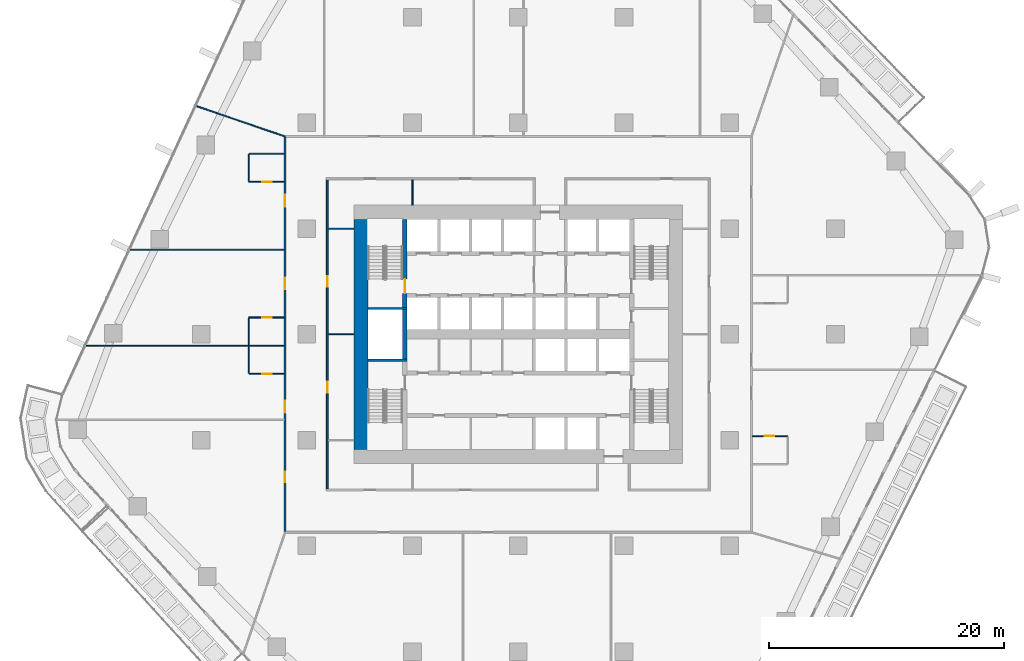
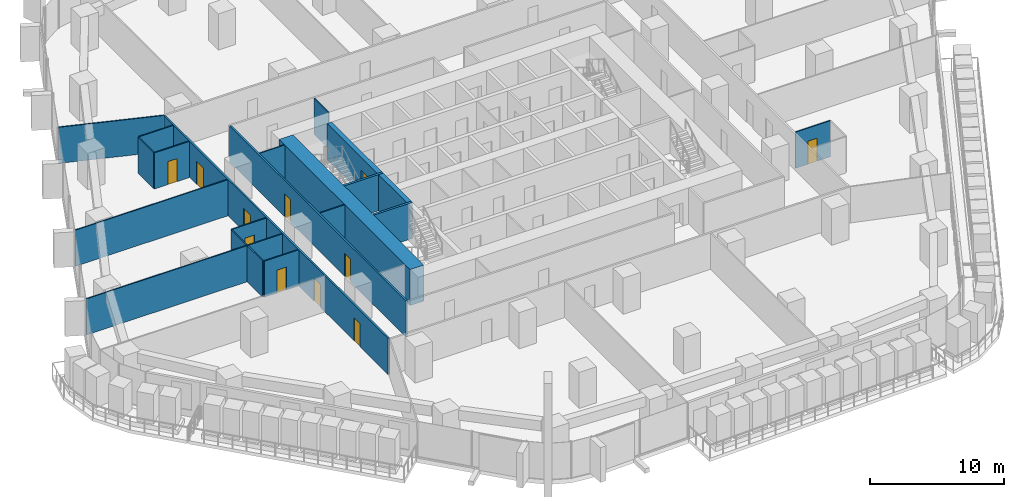
# One storey, part 14 of 26: 21 walls, 11 doors, 11 openings.
"""IFC4 building model written with IfcOpenShell, lengths in metres."""

from ifc_helpers import new_model, si_unit, direction, frame, frame_2d, origin, place, context, subcontext, project, spatial, rectangle, extrude, material, layer, layer_set, type_object, element, fill, save


model = new_model("IFC4")

# Units and contexts
model_context = context("Model", 3, precision=1e-05, world=origin(), true_north=direction((0.0, 1.0)))
body_context = subcontext(model_context, "Body", "Model", "MODEL_VIEW")
ifc_project = project(units=[si_unit("LENGTHUNIT", "METRE"), si_unit("AREAUNIT", "SQUARE_METRE"), si_unit("VOLUMEUNIT", "CUBIC_METRE"), si_unit("PLANEANGLEUNIT", "RADIAN"), si_unit("MASSUNIT", "GRAM", prefix="KILO")], contexts=[model_context])

# Site, building, storey
site_placement = place(None, origin())
site = spatial("IfcSite", under=ifc_project, at=site_placement, CompositionType="ELEMENT")
building_placement = place(site_placement, origin())
building = spatial("IfcBuilding", under=site, at=building_placement, Name="Dongbaek Canopy Tower", CompositionType="ELEMENT")
storey_placement = place(building_placement, frame((0.0, 0.0, 66.199951171875)))
storey = spatial("IfcBuildingStorey", under=building, at=storey_placement, Name="L12", CompositionType="ELEMENT", Elevation=66.199951171875)

# Wall
ifc_material_1 = material(Name="Concrete C60/75", Category="concrete")
ifc_layer_1 = layer(ifc_material_1, 1.199951171875)
ifc_layer_set_1 = layer_set([ifc_layer_1], Name="Core outer wall 1200 Concrete C60/75")
wall_type_1 = type_object("IfcWallType", Name="Core outer wall 1200 Concrete C60/75", PredefinedType="SHEAR", material=ifc_layer_set_1)
wall_1_placement = place(storey_placement, frame((-13.39990234375, -9.800048828125, 0.0), z_axis=(0.0, 0.0, 1.0), x_axis=(0.0, 1.0, 0.0)))
element("IfcWall", 1, at=wall_1_placement, inside=storey, type_object=wall_type_1, Name="Core wall", PredefinedType="SHEAR", context=body_context, shape_type="SweptSolid", body=[
    extrude(rectangle(XDim=19.60009765625, YDim=1.199951171875, at=frame_2d((9.800048828125, 0.0))), origin(), (0.0, 0.0, 1.0), 3.300048828125),
])

# Wall, openings, doors
ifc_material_2 = material(Name="Gypsum board partition, steel stud, 2 x 15 mm fire board", Category="steel")
ifc_layer_2 = layer(ifc_material_2, 0.14990234375)
ifc_layer_set_2 = layer_set([ifc_layer_2], Name="Fire-rated partition 150 gypsum board")
wall_type_2 = type_object("IfcWallType", Name="Fire-rated partition 150 gypsum board", PredefinedType="PARTITIONING", material=ifc_layer_set_2)
wall_2_placement = place(storey_placement, frame((-16.25, 13.175048828125, 0.0), z_axis=(0.0, 0.0, 1.0), x_axis=(0.0, -1.0, 0.0)))
wall_2 = element("IfcWall", 2, at=wall_2_placement, inside=storey, type_object=wall_type_2, Name="Corridor partition", PredefinedType="PARTITIONING", context=body_context, shape_type="SweptSolid", body=[
    extrude(rectangle(XDim=26.35009765625, YDim=0.14990234375, at=frame_2d((13.175048828125, 0.0))), origin(), (0.0, 0.0, 1.0), 3.300048828125),
])
opening_1_placement = place(wall_2_placement, frame((17.22509765625, 0.0, 0.0)))
opening_1 = element("IfcOpeningElement", 3, at=opening_1_placement, cuts=wall_2, Name="Opening L12-D018", PredefinedType="OPENING", context=body_context, shape_type="SweptSolid", body=[
    extrude(rectangle(XDim=0.89990234375, YDim=2.10009765625, at=frame_2d((0.449951171875, 1.050048828125))), frame((0.0, 0.0849609375, 0.0), z_axis=(0.0, -1.0, 0.0), x_axis=(1.0, 0.0, 0.0)), (0.0, 0.0, 1.0), 0.169921875),
])
opening_2_placement = place(wall_2_placement, frame((8.22509765625, 0.0, 0.0)))
opening_2 = element("IfcOpeningElement", 4, at=opening_2_placement, cuts=wall_2, Name="Opening L12-D026", PredefinedType="OPENING", context=body_context, shape_type="SweptSolid", body=[
    extrude(rectangle(XDim=0.89990234375, YDim=2.10009765625, at=frame_2d((0.449951171875, 1.050048828125))), frame((0.0, 0.0849609375, 0.0), z_axis=(0.0, -1.0, 0.0), x_axis=(1.0, 0.0, 0.0)), (0.0, 0.0, 1.0), 0.169921875),
])
ifc_material_3 = material(Name="Timber veneered door leaf", Category="wood")
door_type_1 = type_object("IfcDoorType", Name="Room door 900 x 2100", OperationType="SINGLE_SWING_LEFT", PredefinedType="DOOR", material=ifc_material_3)
door_1_placement = place(opening_1_placement, origin())
door_1 = element("IfcDoor", 5, at=door_1_placement, inside=storey, type_object=door_type_1, Name="Door L12-D018", OperationType="SINGLE_SWING_RIGHT", OverallHeight=2.10009765625, OverallWidth=0.89990234375, PredefinedType="DOOR", context=body_context, shape_type="SweptSolid", body=[
    extrude(rectangle(XDim=0.89990234375, YDim=2.10009765625, at=frame_2d((0.449951171875, 1.050048828125))), frame((0.0, 0.02490234375, 0.0), z_axis=(0.0, -1.0, 0.0), x_axis=(1.0, 0.0, 0.0)), (0.0, 0.0, 1.0), 0.050048828125),
])
fill(opening_1, door_1)
door_2_placement = place(opening_2_placement, origin())
door_2 = element("IfcDoor", 6, at=door_2_placement, inside=storey, type_object=door_type_1, Name="Door L12-D026", OperationType="SINGLE_SWING_RIGHT", OverallHeight=2.10009765625, OverallWidth=0.89990234375, PredefinedType="DOOR", context=body_context, shape_type="SweptSolid", body=[
    extrude(rectangle(XDim=0.89990234375, YDim=2.10009765625, at=frame_2d((0.449951171875, 1.050048828125))), frame((0.0, 0.02490234375, 0.0), z_axis=(0.0, -1.0, 0.0), x_axis=(1.0, 0.0, 0.0)), (0.0, 0.0, 1.0), 0.050048828125),
])
fill(opening_2, door_2)

wall_3_placement = place(storey_placement, frame((-19.85009765625, -16.77490234375, 0.0), z_axis=(0.0, 0.0, 1.0), x_axis=(0.0, 1.0, 0.0)))
wall_3 = element("IfcWall", 7, at=wall_3_placement, inside=storey, type_object=wall_type_2, Name="Corridor partition", PredefinedType="PARTITIONING", context=body_context, shape_type="SweptSolid", body=[
    extrude(rectangle(XDim=33.5498046875, YDim=0.14990234375, at=frame_2d((16.77490234375, 0.0))), origin(), (0.0, 0.0, 1.0), 3.300048828125),
])
opening_3_placement = place(wall_3_placement, frame((10.123046875, 0.0, 0.0)))
opening_3 = element("IfcOpeningElement", 8, at=opening_3_placement, cuts=wall_3, Name="Opening L12-D002", PredefinedType="OPENING", context=body_context, shape_type="SweptSolid", body=[
    extrude(rectangle(XDim=1.0, YDim=2.10009765625, at=frame_2d((0.5, 1.050048828125))), frame((0.0, 0.0849609375, 0.0), z_axis=(0.0, -1.0, 0.0), x_axis=(1.0, 0.0, 0.0)), (0.0, 0.0, 1.0), 0.169921875),
])
opening_4_placement = place(wall_3_placement, frame((4.178955078125, 0.0, 0.0)))
opening_4 = element("IfcOpeningElement", 9, at=opening_4_placement, cuts=wall_3, Name="Opening L12-D003", PredefinedType="OPENING", context=body_context, shape_type="SweptSolid", body=[
    extrude(rectangle(XDim=0.89990234375, YDim=2.10009765625, at=frame_2d((0.449951171875, 1.050048828125))), frame((0.0, 0.0849609375, 0.0), z_axis=(0.0, -1.0, 0.0), x_axis=(1.0, 0.0, 0.0)), (0.0, 0.0, 1.0), 0.169921875),
])
opening_5_placement = place(wall_3_placement, frame((27.651123046875, 0.0, 0.0)))
opening_5 = element("IfcOpeningElement", 10, at=opening_5_placement, cuts=wall_3, Name="Opening L12-D015", PredefinedType="OPENING", context=body_context, shape_type="SweptSolid", body=[
    extrude(rectangle(XDim=1.0, YDim=2.10009765625, at=frame_2d((0.5, 1.050048828125))), frame((0.0, 0.0849609375, 0.0), z_axis=(0.0, -1.0, 0.0), x_axis=(1.0, 0.0, 0.0)), (0.0, 0.0, 1.0), 0.169921875),
])
opening_6_placement = place(wall_3_placement, frame((20.6005859375, 0.0, 0.0)))
opening_6 = element("IfcOpeningElement", 11, at=opening_6_placement, cuts=wall_3, Name="Opening L12-D017", PredefinedType="OPENING", context=body_context, shape_type="SweptSolid", body=[
    extrude(rectangle(XDim=1.0, YDim=2.10009765625, at=frame_2d((0.5, 1.050048828125))), frame((0.0, 0.0849609375, 0.0), z_axis=(0.0, -1.0, 0.0), x_axis=(1.0, 0.0, 0.0)), (0.0, 0.0, 1.0), 0.169921875),
])
ifc_material_4 = material(Name="Timber veneered door leaf", Category="wood")
door_type_2 = type_object("IfcDoorType", Name="Guest room door 1000 x 2100", OperationType="SINGLE_SWING_LEFT", PredefinedType="DOOR", material=ifc_material_4)
door_3_placement = place(opening_3_placement, origin())
door_3 = element("IfcDoor", 12, at=door_3_placement, inside=storey, type_object=door_type_2, Name="Door L12-D002", OperationType="SINGLE_SWING_RIGHT", OverallHeight=2.10009765625, OverallWidth=1.0, PredefinedType="DOOR", context=body_context, shape_type="SweptSolid", body=[
    extrude(rectangle(XDim=1.0, YDim=2.10009765625, at=frame_2d((0.5, 1.050048828125))), frame((0.0, 0.02490234375, 0.0), z_axis=(0.0, -1.0, 0.0), x_axis=(1.0, 0.0, 0.0)), (0.0, 0.0, 1.0), 0.050048828125),
])
fill(opening_3, door_3)
door_4_placement = place(opening_5_placement, origin())
door_4 = element("IfcDoor", 13, at=door_4_placement, inside=storey, type_object=door_type_2, Name="Door L12-D015", OperationType="SINGLE_SWING_RIGHT", OverallHeight=2.10009765625, OverallWidth=1.0, PredefinedType="DOOR", context=body_context, shape_type="SweptSolid", body=[
    extrude(rectangle(XDim=1.0, YDim=2.10009765625, at=frame_2d((0.5, 1.050048828125))), frame((0.0, 0.02490234375, 0.0), z_axis=(0.0, -1.0, 0.0), x_axis=(1.0, 0.0, 0.0)), (0.0, 0.0, 1.0), 0.050048828125),
])
fill(opening_5, door_4)
door_5_placement = place(opening_6_placement, origin())
door_5 = element("IfcDoor", 14, at=door_5_placement, inside=storey, type_object=door_type_2, Name="Door L12-D017", OperationType="SINGLE_SWING_LEFT", OverallHeight=2.10009765625, OverallWidth=1.0, PredefinedType="DOOR", context=body_context, shape_type="SweptSolid", body=[
    extrude(rectangle(XDim=1.0, YDim=2.10009765625, at=frame_2d((0.5, 1.050048828125))), frame((0.0, 0.02490234375, 0.0), z_axis=(0.0, -1.0, 0.0), x_axis=(1.0, 0.0, 0.0)), (0.0, 0.0, 1.0), 0.050048828125),
])
fill(opening_6, door_5)
door_6_placement = place(opening_4_placement, origin())
door_6 = element("IfcDoor", 15, at=door_6_placement, inside=storey, type_object=door_type_1, Name="Door L12-D003", OperationType="SINGLE_SWING_LEFT", OverallHeight=2.10009765625, OverallWidth=0.89990234375, PredefinedType="DOOR", context=body_context, shape_type="SweptSolid", body=[
    extrude(rectangle(XDim=0.89990234375, YDim=2.10009765625, at=frame_2d((0.449951171875, 1.050048828125))), frame((0.0, 0.02490234375, 0.0), z_axis=(0.0, -1.0, 0.0), x_axis=(1.0, 0.0, 0.0)), (0.0, 0.0, 1.0), 0.050048828125),
])
fill(opening_4, door_6)

# Wall, opening, door
ifc_material_5 = material(Name="Gypsum board partition, steel stud, 2 x 12.5 mm board", Category="steel")
ifc_layer_3 = layer(ifc_material_5, 0.10009765625)
ifc_layer_set_3 = layer_set([ifc_layer_3], Name="Partition 100 gypsum board")
wall_type_3 = type_object("IfcWallType", Name="Partition 100 gypsum board", PredefinedType="PARTITIONING", material=ifc_layer_set_3)
wall_4_placement = place(storey_placement, frame((22.949951171875, -8.657958984375, 0.0), z_axis=(0.0, 0.0, 1.0), x_axis=(-1.0, 0.0, 0.0)))
wall_4 = element("IfcWall", 16, at=wall_4_placement, inside=storey, type_object=wall_type_3, Name="Partition", PredefinedType="PARTITIONING", context=body_context, shape_type="SweptSolid", body=[
    extrude(rectangle(XDim=3.02490234375, YDim=0.10009765625, at=frame_2d((1.512451171875, 0.0))), origin(), (0.0, 0.0, 1.0), 3.300048828125),
])
opening_7_placement = place(wall_4_placement, frame((1.14990234375, 0.0, 0.0)))
opening_7 = element("IfcOpeningElement", 17, at=opening_7_placement, cuts=wall_4, Name="Opening L12-D006", PredefinedType="OPENING", context=body_context, shape_type="SweptSolid", body=[
    extrude(rectangle(XDim=0.800048828125, YDim=2.10009765625, at=frame_2d((0.39990234375, 1.050048828125))), frame((0.0, 0.06005859375, 0.0), z_axis=(0.0, -1.0, 0.0), x_axis=(1.0, 0.0, 0.0)), (0.0, 0.0, 1.0), 0.1201171875),
])
ifc_material_6 = material(Name="Timber veneered door leaf", Category="wood")
door_type_3 = type_object("IfcDoorType", Name="En-suite door 800 x 2100", OperationType="SINGLE_SWING_LEFT", PredefinedType="DOOR", material=ifc_material_6)
door_7_placement = place(opening_7_placement, origin())
door_7 = element("IfcDoor", 18, at=door_7_placement, inside=storey, type_object=door_type_3, Name="Door L12-D006", OperationType="SINGLE_SWING_LEFT", OverallHeight=2.10009765625, OverallWidth=0.800048828125, PredefinedType="DOOR", context=body_context, shape_type="SweptSolid", body=[
    extrude(rectangle(XDim=0.800048828125, YDim=2.10009765625, at=frame_2d((0.39990234375, 1.050048828125))), frame((0.0, 0.02490234375, 0.0), z_axis=(0.0, -1.0, 0.0), x_axis=(1.0, 0.0, 0.0)), (0.0, 0.0, 1.0), 0.050048828125),
])
fill(opening_7, door_7)

wall_5_placement = place(storey_placement, frame((-22.89990234375, -3.35888671875, 0.0), z_axis=(0.0, 0.0, 1.0), x_axis=(1.0, 0.0, 0.0)))
wall_5 = element("IfcWall", 19, at=wall_5_placement, inside=storey, type_object=wall_type_3, Name="Partition", PredefinedType="PARTITIONING", context=body_context, shape_type="SweptSolid", body=[
    extrude(rectangle(XDim=2.974853515625, YDim=0.10009765625, at=frame_2d((1.4873046875, 0.0))), origin(), (0.0, 0.0, 1.0), 3.300048828125),
])
opening_8_placement = place(wall_5_placement, frame((1.10009765625, 0.0, 0.0)))
opening_8 = element("IfcOpeningElement", 20, at=opening_8_placement, cuts=wall_5, Name="Opening L12-D001", PredefinedType="OPENING", context=body_context, shape_type="SweptSolid", body=[
    extrude(rectangle(XDim=0.800048828125, YDim=2.10009765625, at=frame_2d((0.39990234375, 1.050048828125))), frame((0.0, 0.06005859375, 0.0), z_axis=(0.0, -1.0, 0.0), x_axis=(1.0, 0.0, 0.0)), (0.0, 0.0, 1.0), 0.1201171875),
])
door_8_placement = place(opening_8_placement, origin())
door_8 = element("IfcDoor", 21, at=door_8_placement, inside=storey, type_object=door_type_3, Name="Door L12-D001", OperationType="SINGLE_SWING_LEFT", OverallHeight=2.10009765625, OverallWidth=0.800048828125, PredefinedType="DOOR", context=body_context, shape_type="SweptSolid", body=[
    extrude(rectangle(XDim=0.800048828125, YDim=2.10009765625, at=frame_2d((0.39990234375, 1.050048828125))), frame((0.0, 0.02490234375, 0.0), z_axis=(0.0, -1.0, 0.0), x_axis=(1.0, 0.0, 0.0)), (0.0, 0.0, 1.0), 0.050048828125),
])
fill(opening_8, door_8)

# Walls
wall_6_placement = place(storey_placement, frame((-36.87890625, -0.958984375, 0.0), z_axis=(0.0, 0.0, 1.0), x_axis=(1.0, 0.0, 0.0)))
element("IfcWall", 22, at=wall_6_placement, inside=storey, type_object=wall_type_3, Name="Partition", PredefinedType="PARTITIONING", context=body_context, shape_type="SweptSolid", body=[
    extrude(rectangle(XDim=16.953857421875, YDim=0.10009765625, at=frame_2d((8.47705078125, 0.0))), origin(), (0.0, 0.0, 1.0), 3.300048828125),
])
wall_7_placement = place(storey_placement, frame((-16.175048828125, 0.0, 0.0), z_axis=(0.0, 0.0, 1.0), x_axis=(1.0, 0.0, 0.0)))
element("IfcWall", 23, at=wall_7_placement, inside=storey, type_object=wall_type_3, Name="Partition", PredefinedType="PARTITIONING", context=body_context, shape_type="SweptSolid", body=[
    extrude(rectangle(XDim=2.175048828125, YDim=0.10009765625, at=frame_2d((1.08740234375, 0.0))), origin(), (0.0, 0.0, 1.0), 3.300048828125),
])

# Wall, opening, door
wall_8_placement = place(storey_placement, frame((-19.925048828125, 1.44091796875, 0.0), z_axis=(0.0, 0.0, 1.0), x_axis=(-1.0, 0.0, 0.0)))
wall_8 = element("IfcWall", 24, at=wall_8_placement, inside=storey, type_object=wall_type_3, Name="Partition", PredefinedType="PARTITIONING", context=body_context, shape_type="SweptSolid", body=[
    extrude(rectangle(XDim=3.02490234375, YDim=0.10009765625, at=frame_2d((1.512451171875, 0.0))), origin(), (0.0, 0.0, 1.0), 3.300048828125),
])
opening_9_placement = place(wall_8_placement, frame((1.074951171875, 0.0, 0.0)))
opening_9 = element("IfcOpeningElement", 25, at=opening_9_placement, cuts=wall_8, Name="Opening L12-D016", PredefinedType="OPENING", context=body_context, shape_type="SweptSolid", body=[
    extrude(rectangle(XDim=0.800048828125, YDim=2.10009765625, at=frame_2d((0.39990234375, 1.050048828125))), frame((0.0, 0.06005859375, 0.0), z_axis=(0.0, -1.0, 0.0), x_axis=(1.0, 0.0, 0.0)), (0.0, 0.0, 1.0), 0.1201171875),
])
door_9_placement = place(opening_9_placement, origin())
door_9 = element("IfcDoor", 26, at=door_9_placement, inside=storey, type_object=door_type_3, Name="Door L12-D016", OperationType="SINGLE_SWING_RIGHT", OverallHeight=2.10009765625, OverallWidth=0.800048828125, PredefinedType="DOOR", context=body_context, shape_type="SweptSolid", body=[
    extrude(rectangle(XDim=0.800048828125, YDim=2.10009765625, at=frame_2d((0.39990234375, 1.050048828125))), frame((0.0, 0.02490234375, 0.0), z_axis=(0.0, -1.0, 0.0), x_axis=(1.0, 0.0, 0.0)), (0.0, 0.0, 1.0), 0.050048828125),
])
fill(opening_9, door_9)

# Walls
wall_9_placement = place(storey_placement, frame((-33.11962890625, 7.2109375, 0.0), z_axis=(0.0, 0.0, 1.0), x_axis=(1.0, 0.0, 0.0)))
element("IfcWall", 27, at=wall_9_placement, inside=storey, type_object=wall_type_3, Name="Partition", PredefinedType="PARTITIONING", context=body_context, shape_type="SweptSolid", body=[
    extrude(rectangle(XDim=13.194580078125, YDim=0.10009765625, at=frame_2d((6.59716796875, 0.0))), origin(), (0.0, 0.0, 1.0), 3.300048828125),
])
wall_10_placement = place(storey_placement, frame((-16.175048828125, 9.0, 0.0), z_axis=(0.0, 0.0, 1.0), x_axis=(1.0, 0.0, 0.0)))
element("IfcWall", 28, at=wall_10_placement, inside=storey, type_object=wall_type_3, Name="Partition", PredefinedType="PARTITIONING", context=body_context, shape_type="SweptSolid", body=[
    extrude(rectangle(XDim=2.175048828125, YDim=0.10009765625, at=frame_2d((1.08740234375, 0.0))), origin(), (0.0, 0.0, 1.0), 3.300048828125),
])

# Wall, opening, door
wall_11_placement = place(storey_placement, frame((-22.949951171875, 12.97998046875, 0.0), z_axis=(0.0, 0.0, 1.0), x_axis=(1.0, 0.0, 0.0)))
wall_11 = element("IfcWall", 29, at=wall_11_placement, inside=storey, type_object=wall_type_3, Name="Partition", PredefinedType="PARTITIONING", context=body_context, shape_type="SweptSolid", body=[
    extrude(rectangle(XDim=3.02490234375, YDim=0.10009765625, at=frame_2d((1.512451171875, 0.0))), origin(), (0.0, 0.0, 1.0), 3.300048828125),
])
opening_10_placement = place(wall_11_placement, frame((1.14990234375, 0.0, 0.0)))
opening_10 = element("IfcOpeningElement", 30, at=opening_10_placement, cuts=wall_11, Name="Opening L12-D014", PredefinedType="OPENING", context=body_context, shape_type="SweptSolid", body=[
    extrude(rectangle(XDim=0.800048828125, YDim=2.10009765625, at=frame_2d((0.39990234375, 1.050048828125))), frame((0.0, 0.06005859375, 0.0), z_axis=(0.0, -1.0, 0.0), x_axis=(1.0, 0.0, 0.0)), (0.0, 0.0, 1.0), 0.1201171875),
])
door_10_placement = place(opening_10_placement, origin())
door_10 = element("IfcDoor", 31, at=door_10_placement, inside=storey, type_object=door_type_3, Name="Door L12-D014", OperationType="SINGLE_SWING_LEFT", OverallHeight=2.10009765625, OverallWidth=0.800048828125, PredefinedType="DOOR", context=body_context, shape_type="SweptSolid", body=[
    extrude(rectangle(XDim=0.800048828125, YDim=2.10009765625, at=frame_2d((0.39990234375, 1.050048828125))), frame((0.0, 0.02490234375, 0.0), z_axis=(0.0, -1.0, 0.0), x_axis=(1.0, 0.0, 0.0)), (0.0, 0.0, 1.0), 0.050048828125),
])
fill(opening_10, door_10)

# Walls
wall_12_placement = place(storey_placement, frame((-22.89990234375, 15.3798828125, 0.0), z_axis=(0.0, 0.0, 1.0), x_axis=(1.0, 0.0, 0.0)))
element("IfcWall", 32, at=wall_12_placement, inside=storey, type_object=wall_type_3, Name="Partition", PredefinedType="PARTITIONING", context=body_context, shape_type="SweptSolid", body=[
    extrude(rectangle(XDim=2.974853515625, YDim=0.10009765625, at=frame_2d((1.4873046875, 0.0))), origin(), (0.0, 0.0, 1.0), 3.300048828125),
])
wall_13_placement = place(storey_placement, frame((-9.0, 11.0, 0.0), z_axis=(0.0, 0.0, 1.0), x_axis=(0.0, 1.0, 0.0)))
element("IfcWall", 33, at=wall_13_placement, inside=storey, type_object=wall_type_3, Name="Partition", PredefinedType="PARTITIONING", context=body_context, shape_type="SweptSolid", body=[
    extrude(rectangle(XDim=2.175048828125, YDim=0.10009765625, at=frame_2d((1.08740234375, 0.0))), origin(), (0.0, 0.0, 1.0), 3.300048828125),
])
wall_14_placement = place(storey_placement, frame((-22.949951171875, -3.30908203125, 0.0), z_axis=(0.0, 0.0, 1.0), x_axis=(0.0, 1.0, 0.0)))
element("IfcWall", 34, at=wall_14_placement, inside=storey, type_object=wall_type_3, Name="Partition", PredefinedType="PARTITIONING", context=body_context, shape_type="SweptSolid", body=[
    extrude(rectangle(XDim=2.300048828125, YDim=0.10009765625, at=frame_2d((1.14990234375, 0.0))), origin(), (0.0, 0.0, 1.0), 3.300048828125),
])
for number, where, z_axis, x_axis, name in (
    (35, (-22.949951171875, -0.908935546875, 0.0), (0.0, 0.0, 1.0), (0.0, 1.0, 0.0), "Partition"),
    (36, (-22.949951171875, 13.0302734375, 0.0), (0.0, 0.0, 1.0), (0.0, 1.0, 0.0), "Partition"),
):
    element("IfcWall", number, at=place(storey_placement, frame(where, z_axis=z_axis, x_axis=x_axis)), inside=storey, type_object=wall_type_3, Name=name, PredefinedType="PARTITIONING", context=body_context, shape_type="SweptSolid", body=[
        extrude(rectangle(XDim=2.2998046875, YDim=0.10009765625, at=frame_2d((1.14990234375, 0.0))), origin(), (0.0, 0.0, 1.0), 3.300048828125),
    ])
wall_15_placement = place(storey_placement, frame((-27.483642578125, 19.45849609375, 0.0), z_axis=(0.0, 0.0, 1.0), x_axis=(0.946262238114, -0.323400335065, 0.0)))
element("IfcWall", 37, at=wall_15_placement, inside=storey, type_object=wall_type_3, Name="Partition", PredefinedType="PARTITIONING", context=body_context, shape_type="SweptSolid", body=[
    extrude(rectangle(XDim=8.067138671875, YDim=0.10009765625, at=frame_2d((4.03369140625, 0.0))), origin(), (0.0, 0.0, 1.0), 3.300048828125),
])
ifc_material_7 = material(Name="Concrete C60/75", Category="concrete")
ifc_layer_4 = layer(ifc_material_7, 0.199951171875)
ifc_layer_set_4 = layer_set([ifc_layer_4], Name="Riser wall 200 Concrete C60/75")
wall_type_4 = type_object("IfcWallType", Name="Riser wall 200 Concrete C60/75", PredefinedType="SHEAR", material=ifc_layer_set_4)
for number, where, z_axis, x_axis, name in (
    (38, (-9.449951171875, 2.199951171875, 0.0), (0.0, 0.0, 1.0), (-1.0, 0.0, 0.0), "Riser wall"),
    (39, (-9.449951171875, -2.199951171875, 0.0), (0.0, 0.0, 1.0), (-1.0, 0.0, 0.0), "Riser wall"),
):
    element("IfcWall", number, at=place(storey_placement, frame(where, z_axis=z_axis, x_axis=x_axis)), inside=storey, type_object=wall_type_4, Name=name, PredefinedType="SHEAR", context=body_context, shape_type="SweptSolid", body=[
        extrude(rectangle(XDim=3.35009765625, YDim=0.199951171875, at=frame_2d((1.675048828125, 0.0))), origin(), (0.0, 0.0, 1.0), 3.300048828125),
    ])
ifc_material_8 = material(Name="Concrete C60/75", Category="concrete")
ifc_layer_5 = layer(ifc_material_8, 0.39990234375)
ifc_layer_set_5 = layer_set([ifc_layer_5], Name="Stair wall 400 Concrete C60/75")
wall_type_5 = type_object("IfcWallType", Name="Stair wall 400 Concrete C60/75", PredefinedType="SHEAR", material=ifc_layer_set_5)
wall_16_placement = place(storey_placement, frame((-9.64990234375, -2.10009765625, 0.0), z_axis=(0.0, 0.0, 1.0), x_axis=(0.0, 1.0, 0.0)))
element("IfcWall", 40, at=wall_16_placement, inside=storey, type_object=wall_type_5, Name="Stair wall", PredefinedType="SHEAR", context=body_context, shape_type="SweptSolid", body=[
    extrude(rectangle(XDim=4.2001953125, YDim=0.39990234375, at=frame_2d((2.10009765625, 0.0))), origin(), (0.0, 0.0, 1.0), 3.300048828125),
])

# Wall, opening, door
wall_17_placement = place(storey_placement, frame((-9.64990234375, 2.300048828125, 0.0), z_axis=(0.0, 0.0, 1.0), x_axis=(0.0, 1.0, 0.0)))
wall_17 = element("IfcWall", 41, at=wall_17_placement, inside=storey, type_object=wall_type_5, Name="Stair wall", PredefinedType="SHEAR", context=body_context, shape_type="SweptSolid", body=[
    extrude(rectangle(XDim=7.5, YDim=0.39990234375, at=frame_2d((3.75, 0.0))), origin(), (0.0, 0.0, 1.0), 3.300048828125),
])
opening_11_placement = place(wall_17_placement, frame((1.199951171875, 0.0, 0.0)))
opening_11 = element("IfcOpeningElement", 42, at=opening_11_placement, cuts=wall_17, Name="Opening L12-D053", PredefinedType="OPENING", context=body_context, shape_type="SweptSolid", body=[
    extrude(rectangle(XDim=1.199951171875, YDim=2.10009765625, at=frame_2d((0.60009765625, 1.050048828125))), frame((0.0, 0.2099609375, 0.0), z_axis=(0.0, -1.0, 0.0), x_axis=(1.0, 0.0, 0.0)), (0.0, 0.0, 1.0), 0.419921875),
])
ifc_material_9 = material(Name="Steel", Category="steel")
door_type_4 = type_object("IfcDoorType", Name="Stair door 1200 x 2100", OperationType="SINGLE_SWING_LEFT", PredefinedType="DOOR", material=ifc_material_9)
door_11_placement = place(opening_11_placement, origin())
door_11 = element("IfcDoor", 43, at=door_11_placement, inside=storey, type_object=door_type_4, Name="Stair C door", OperationType="SINGLE_SWING_RIGHT", OverallHeight=2.10009765625, OverallWidth=1.199951171875, PredefinedType="DOOR", context=body_context, shape_type="SweptSolid", body=[
    extrude(rectangle(XDim=1.199951171875, YDim=2.10009765625, at=frame_2d((0.60009765625, 1.050048828125))), frame((0.0, 0.02490234375, 0.0), z_axis=(0.0, -1.0, 0.0), x_axis=(1.0, 0.0, 0.0)), (0.0, 0.0, 1.0), 0.050048828125),
])
fill(opening_11, door_11)

save(model, "model.ifc")
